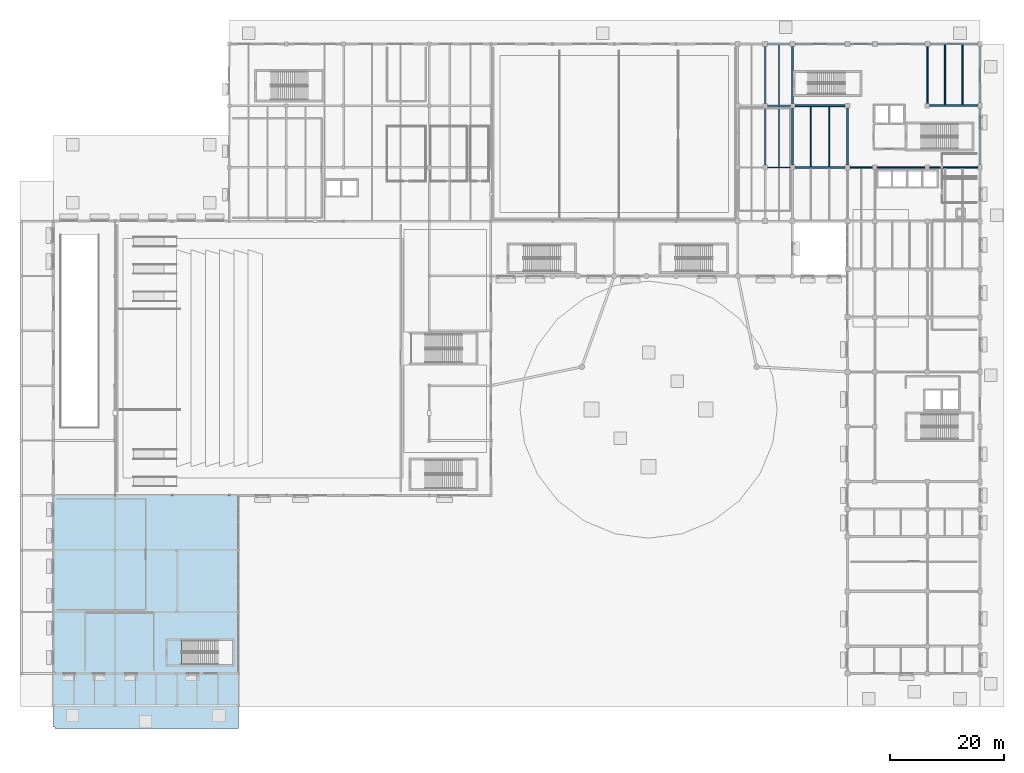
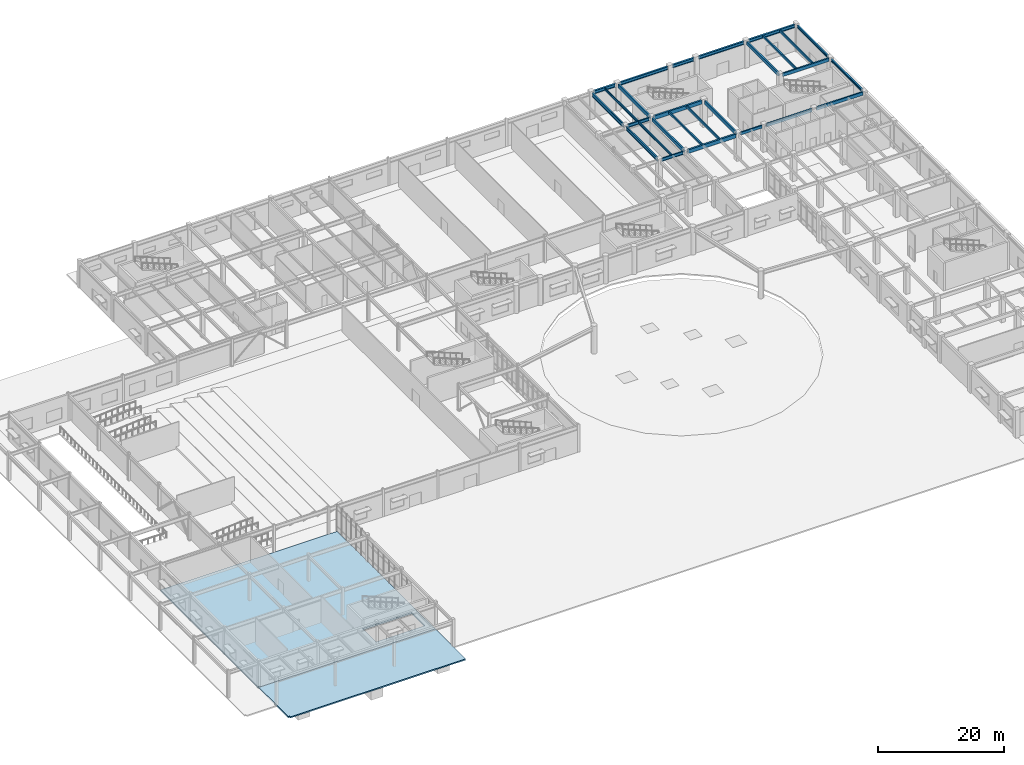
# One storey, part 21 of 54: 27 beams, 2 slabs.
"""IFC4 building model written with IfcOpenShell, lengths in metres."""

from ifc_helpers import new_model, si_unit, direction, frame, origin, origin_2d, place, context, subcontext, project, spatial, polyline, rectangle, i_section, outline, extrude, material, layer, layer_set, material_profile, profile_set, type_object, element, save


model = new_model("IFC4")

# Units and contexts
model_context = context("Model", 3, precision=1e-05, world=origin(), true_north=direction((0.0, 1.0)))
body_context = subcontext(model_context, "Body", "Model", "MODEL_VIEW")
ifc_project = project(units=[si_unit("LENGTHUNIT", "METRE"), si_unit("AREAUNIT", "SQUARE_METRE"), si_unit("VOLUMEUNIT", "CUBIC_METRE"), si_unit("PLANEANGLEUNIT", "RADIAN"), si_unit("MASSUNIT", "GRAM", prefix="KILO")], contexts=[model_context])

# Site, building, storey
site_placement = place(None, origin())
site = spatial("IfcSite", under=ifc_project, at=site_placement, CompositionType="ELEMENT")
building_placement = place(site_placement, origin())
building = spatial("IfcBuilding", under=site, at=building_placement, Name="Veldera Park Congress Hotel", CompositionType="ELEMENT")
storey_placement = place(building_placement, origin())
storey = spatial("IfcBuildingStorey", under=building, at=storey_placement, Name="L00", CompositionType="ELEMENT", Elevation=0.0)

# Beams
ifc_material_1 = material(Name="Glulam GL28h (NDS 24F-V4)", Category="wood")
ifc_material_profile_1 = material_profile(ifc_material_1, rectangle(XDim=0.239990234375, YDim=0.5400390625, at=origin_2d()), Name="GL28h 240x540")
ifc_profile_set_1 = profile_set([ifc_material_profile_1], Name="Glulam GL28h (NDS 24F-V4)")
beam_type_1 = type_object("IfcBeamType", Name="BM-GL540", PredefinedType="BEAM", material=ifc_profile_set_1)
beam_1_placement = place(storey_placement, frame((61.22509765625, 36.39990234375, 4.85009765625), z_axis=(1.0, 0.0, 0.0), x_axis=(0.0, 1.0, 0.0)))
element("IfcBeam", 1, at=beam_1_placement, inside=storey, type_object=beam_type_1, Name="L00 Girder BM-GL540 360", PredefinedType="BEAM", context=body_context, shape_type="SweptSolid", body=[
    extrude(rectangle(XDim=0.239990234375, YDim=0.5400390625, at=origin_2d()), origin(), (0.0, 0.0, 1.0), 3.974853515625),
])
ifc_material_profile_2 = material_profile(ifc_material_1, rectangle(XDim=0.264892578125, YDim=0.6201171875, at=origin_2d()), Name="GL28h 265x620")
ifc_profile_set_2 = profile_set([ifc_material_profile_2], Name="Glulam GL28h (NDS 24F-V4)")
beam_type_2 = type_object("IfcBeamType", Name="BM-GL620", PredefinedType="BEAM", material=ifc_profile_set_2)
beam_2_placement = place(storey_placement, frame((66.0, 36.39990234375, 4.81005859375), z_axis=(1.0, 0.0, 0.0), x_axis=(0.0, 1.0, 0.0)))
element("IfcBeam", 2, at=beam_2_placement, inside=storey, type_object=beam_type_2, Name="L00 Girder BM-GL620 361", PredefinedType="BEAM", context=body_context, shape_type="SweptSolid", body=[
    extrude(rectangle(XDim=0.264892578125, YDim=0.6201171875, at=origin_2d()), origin(), (0.0, 0.0, 1.0), 8.39990234375),
])
for number, where, z_axis, x_axis, name in (
    (3, (75.199951171875, 36.39990234375, 4.81005859375), (1.0, 0.0, 0.0), (0.0, 1.0, 0.0), "L00 Girder BM-GL620 362"),
    (4, (75.199951171875, 47.199951171875, 4.81005859375), (1.0, 0.0, 0.0), (0.0, 1.0, 0.0), "L00 Girder BM-GL620 370"),
):
    element("IfcBeam", number, at=place(storey_placement, frame(where, z_axis=z_axis, x_axis=x_axis)), inside=storey, type_object=beam_type_2, Name=name, PredefinedType="BEAM", context=body_context, shape_type="SweptSolid", body=[
        extrude(rectangle(XDim=0.264892578125, YDim=0.6201171875, at=origin_2d()), origin(), (0.0, 0.0, 1.0), 8.47509765625),
    ])
ifc_material_profile_3 = material_profile(ifc_material_1, rectangle(XDim=0.280029296875, YDim=0.639892578125, at=origin_2d()), Name="GL28h 280x640")
ifc_profile_set_3 = profile_set([ifc_material_profile_3], Name="Glulam GL28h (NDS 24F-V4)")
beam_type_3 = type_object("IfcBeamType", Name="BM-GL640", PredefinedType="BEAM", material=ifc_profile_set_3)
beam_3_placement = place(storey_placement, frame((51.199951171875, 36.800048828125, 4.800048828125), z_axis=(0.0, 1.0, 0.0), x_axis=(-1.0, 0.0, 0.0)))
element("IfcBeam", 5, at=beam_3_placement, inside=storey, type_object=beam_type_3, Name="L00 Girder BM-GL640 449", PredefinedType="BEAM", context=body_context, shape_type="SweptSolid", body=[
    extrude(rectangle(XDim=0.280029296875, YDim=0.639892578125, at=origin_2d()), origin(), (0.0, 0.0, 1.0), 10.0),
])
beam_4_placement = place(storey_placement, frame((51.199951171875, 47.60009765625, 4.800048828125), z_axis=(0.0, 1.0, 0.0), x_axis=(-1.0, 0.0, 0.0)))
element("IfcBeam", 6, at=beam_4_placement, inside=storey, type_object=beam_type_3, Name="L00 Girder BM-GL640 450", PredefinedType="BEAM", context=body_context, shape_type="SweptSolid", body=[
    extrude(rectangle(XDim=0.280029296875, YDim=0.639892578125, at=origin_2d()), origin(), (0.0, 0.0, 1.0), 9.974853515625),
])
beam_5_placement = place(storey_placement, frame((60.800048828125, 36.824951171875, 4.800048828125), z_axis=(0.0, 1.0, 0.0), x_axis=(-1.0, 0.0, 0.0)))
element("IfcBeam", 7, at=beam_5_placement, inside=storey, type_object=beam_type_3, Name="L00 Girder BM-GL640 462", PredefinedType="BEAM", context=body_context, shape_type="SweptSolid", body=[
    extrude(rectangle(XDim=0.280029296875, YDim=0.639892578125, at=origin_2d()), origin(), (0.0, 0.0, 1.0), 9.949951171875),
])
beam_6_placement = place(storey_placement, frame((74.800048828125, 47.60009765625, 4.800048828125), z_axis=(0.0, 1.0, 0.0), x_axis=(-1.0, 0.0, 0.0)))
element("IfcBeam", 8, at=beam_6_placement, inside=storey, type_object=beam_type_3, Name="L00 Girder BM-GL640 477", PredefinedType="BEAM", context=body_context, shape_type="SweptSolid", body=[
    extrude(rectangle(XDim=0.280029296875, YDim=0.639892578125, at=origin_2d()), origin(), (0.0, 0.0, 1.0), 9.974853515625),
])
ifc_material_profile_4 = material_profile(ifc_material_1, rectangle(XDim=0.31494140625, YDim=0.719970703125, at=origin_2d()), Name="GL28h 315x720")
ifc_profile_set_4 = profile_set([ifc_material_profile_4], Name="Glulam GL28h (NDS 24F-V4)")
beam_type_4 = type_object("IfcBeamType", Name="BM-GL720", PredefinedType="BEAM", material=ifc_profile_set_4)
for number, where, z_axis, x_axis, name in (
    (9, (51.60009765625, 36.39990234375, 4.760009765625), (1.0, 0.0, 0.0), (0.0, 1.0, 0.0), "L00 Girder BM-GL720 359"),
    (10, (51.60009765625, 47.199951171875, 4.760009765625), (1.0, 0.0, 0.0), (0.0, 1.0, 0.0), "L00 Girder BM-GL720 369"),
):
    element("IfcBeam", number, at=place(storey_placement, frame(where, z_axis=z_axis, x_axis=x_axis)), inside=storey, type_object=beam_type_4, Name=name, PredefinedType="BEAM", context=body_context, shape_type="SweptSolid", body=[
        extrude(rectangle(XDim=0.31494140625, YDim=0.719970703125, at=origin_2d()), origin(), (0.0, 0.0, 1.0), 8.77490234375),
    ])
ifc_material_2 = material(Name="Steel ASTM A992 Gr.50", Category="steel")
ifc_material_profile_5 = material_profile(ifc_material_2, i_section(OverallWidth=0.22900390625, OverallDepth=0.612060546875, WebThickness=0.011962890625, FlangeThickness=0.01953125, at=origin_2d()), Name="W24X84")
ifc_profile_set_5 = profile_set([ifc_material_profile_5], Name="Steel ASTM A992 Gr.50")
beam_type_5 = type_object("IfcBeamType", Name="BM-W24", PredefinedType="BEAM", material=ifc_profile_set_5)
for number, where, z_axis, x_axis, name in (
    (11, (46.800048828125, 36.39990234375, 4.81396484375), (1.0, 0.0, 0.0), (0.0, 1.0, 0.0), "L00 Girder BM-W24 358"),
    (12, (46.800048828125, 47.199951171875, 4.81396484375), (1.0, 0.0, 0.0), (0.0, 1.0, 0.0), "L00 Girder BM-W24 368"),
):
    element("IfcBeam", number, at=place(storey_placement, frame(where, z_axis=z_axis, x_axis=x_axis)), inside=storey, type_object=beam_type_5, Name=name, PredefinedType="BEAM", context=body_context, shape_type="SweptSolid", body=[
        extrude(i_section(OverallWidth=0.22900390625, OverallDepth=0.612060546875, WebThickness=0.011962890625, FlangeThickness=0.01953125, at=origin_2d()), origin(), (0.0, 0.0, 1.0), 4.0),
    ])
ifc_material_profile_6 = material_profile(ifc_material_2, i_section(OverallWidth=0.323974609375, OverallDepth=0.612060546875, WebThickness=0.0126953125, FlangeThickness=0.01904296875, at=origin_2d()), Name="W24X104")
ifc_profile_set_6 = profile_set([ifc_material_profile_6], Name="Steel ASTM A992 Gr.50")
beam_type_6 = type_object("IfcBeamType", Name="BM-W24E", PredefinedType="BEAM", material=ifc_profile_set_6)
beam_7_placement = place(storey_placement, frame((46.824951171875, 58.0, 4.81396484375), z_axis=(1.0, 0.0, 0.0), x_axis=(0.0, 1.0, 0.0)))
element("IfcBeam", 13, at=beam_7_placement, inside=storey, type_object=beam_type_6, Name="L00 Girder BM-W24E 380", PredefinedType="BEAM", context=body_context, shape_type="SweptSolid", body=[
    extrude(i_section(OverallWidth=0.323974609375, OverallDepth=0.612060546875, WebThickness=0.0126953125, FlangeThickness=0.01904296875, at=origin_2d()), origin(), (0.0, 0.0, 1.0), 3.949951171875),
])
ifc_material_profile_7 = material_profile(ifc_material_2, i_section(OverallWidth=0.256103515625, OverallDepth=0.693115234375, WebThickness=0.014404296875, FlangeThickness=0.023681640625, at=origin_2d()), Name="W27X114")
ifc_profile_set_7 = profile_set([ifc_material_profile_7], Name="Steel ASTM A992 Gr.50")
beam_type_7 = type_object("IfcBeamType", Name="BM-W27", PredefinedType="BEAM", material=ifc_profile_set_7)
beam_8_placement = place(storey_placement, frame((46.39990234375, 36.800048828125, 4.7734375), z_axis=(0.0, 1.0, 0.0), x_axis=(-1.0, 0.0, 0.0)))
element("IfcBeam", 14, at=beam_8_placement, inside=storey, type_object=beam_type_7, Name="L00 Girder BM-W27 445", PredefinedType="BEAM", context=body_context, shape_type="SweptSolid", body=[
    extrude(i_section(OverallWidth=0.256103515625, OverallDepth=0.693115234375, WebThickness=0.014404296875, FlangeThickness=0.023681640625, at=origin_2d()), origin(), (0.0, 0.0, 1.0), 10.0),
])
beam_9_placement = place(storey_placement, frame((46.39990234375, 47.60009765625, 4.7734375), z_axis=(0.0, 1.0, 0.0), x_axis=(-1.0, 0.0, 0.0)))
element("IfcBeam", 15, at=beam_9_placement, inside=storey, type_object=beam_type_7, Name="L00 Girder BM-W27 446", PredefinedType="BEAM", context=body_context, shape_type="SweptSolid", body=[
    extrude(i_section(OverallWidth=0.256103515625, OverallDepth=0.693115234375, WebThickness=0.014404296875, FlangeThickness=0.023681640625, at=origin_2d()), origin(), (0.0, 0.0, 1.0), 9.974853515625),
])
ifc_material_profile_8 = material_profile(ifc_material_1, rectangle(XDim=0.215087890625, YDim=0.449951171875, at=origin_2d()), Name="GL28h 215x450")
ifc_profile_set_8 = profile_set([ifc_material_profile_8], Name="Glulam GL28h (NDS 24F-V4)")
beam_type_8 = type_object("IfcBeamType", Name="JST-GL450", PredefinedType="JOIST", material=ifc_profile_set_8)
for number, where, z_axis, x_axis, name in (
    (16, (54.39990234375, 36.5576171875, 4.89501953125), (0.0, 1.0, 0.0), (-1.0, 0.0, 0.0), "L00 Floor Joist JST-GL450 535"),
    (17, (57.60009765625, 36.5576171875, 4.89501953125), (0.0, 1.0, 0.0), (-1.0, 0.0, 0.0), "L00 Floor Joist JST-GL450 536"),
):
    element("IfcBeam", number, at=place(storey_placement, frame(where, z_axis=z_axis, x_axis=x_axis)), inside=storey, type_object=beam_type_8, Name=name, PredefinedType="JOIST", context=body_context, shape_type="SweptSolid", body=[
        extrude(rectangle(XDim=0.215087890625, YDim=0.449951171875, at=origin_2d()), origin(), (0.0, 0.0, 1.0), 10.48486328125),
    ])
for number, where, z_axis, x_axis, name in (
    (18, (77.86669921875, 47.33251953125, 4.89501953125), (0.0, 1.0, 0.0), (-1.0, 0.0, 0.0), "L00 Floor Joist JST-GL450 545"),
    (19, (80.933349609375, 47.33251953125, 4.89501953125), (0.0, 1.0, 0.0), (-1.0, 0.0, 0.0), "L00 Floor Joist JST-GL450 546"),
):
    element("IfcBeam", number, at=place(storey_placement, frame(where, z_axis=z_axis, x_axis=x_axis)), inside=storey, type_object=beam_type_8, Name=name, PredefinedType="JOIST", context=body_context, shape_type="SweptSolid", body=[
        extrude(rectangle(XDim=0.215087890625, YDim=0.449951171875, at=origin_2d()), origin(), (0.0, 0.0, 1.0), 10.50537109375),
    ])
ifc_material_profile_9 = material_profile(ifc_material_2, i_section(OverallWidth=0.19091796875, OverallDepth=0.45703125, WebThickness=0.009033203125, FlangeThickness=0.014404296875, at=origin_2d()), Name="W18X50")
ifc_profile_set_9 = profile_set([ifc_material_profile_9], Name="Steel ASTM A992 Gr.50")
beam_type_9 = type_object("IfcBeamType", Name="JST-W18", PredefinedType="JOIST", material=ifc_profile_set_9)
beam_10_placement = place(storey_placement, frame((48.800048828125, 36.514404296875, 4.8916015625), z_axis=(0.0, 1.0, 0.0), x_axis=(-1.0, 0.0, 0.0)))
element("IfcBeam", 20, at=beam_10_placement, inside=storey, type_object=beam_type_9, Name="L00 Floor Joist JST-W18 534", PredefinedType="JOIST", context=body_context, shape_type="SweptSolid", body=[
    extrude(i_section(OverallWidth=0.19091796875, OverallDepth=0.45703125, WebThickness=0.009033203125, FlangeThickness=0.014404296875, at=origin_2d()), origin(), (0.0, 0.0, 1.0), 10.571044921875),
])
beam_11_placement = place(storey_placement, frame((48.800048828125, 47.314453125, 4.8916015625), z_axis=(0.0, 1.0, 0.0), x_axis=(-1.0, 0.0, 0.0)))
element("IfcBeam", 21, at=beam_11_placement, inside=storey, type_object=beam_type_9, Name="L00 Floor Joist JST-W18 544", PredefinedType="JOIST", context=body_context, shape_type="SweptSolid", body=[
    extrude(i_section(OverallWidth=0.19091796875, OverallDepth=0.45703125, WebThickness=0.009033203125, FlangeThickness=0.014404296875, at=origin_2d()), origin(), (0.0, 0.0, 1.0), 10.5234375),
])
ifc_material_profile_10 = material_profile(ifc_material_2, i_section(OverallWidth=0.280029296875, OverallDepth=0.462890625, WebThickness=0.0107421875, FlangeThickness=0.017333984375, at=origin_2d()), Name="W18X76")
ifc_profile_set_10 = profile_set([ifc_material_profile_10], Name="Steel ASTM A992 Gr.50")
beam_type_10 = type_object("IfcBeamType", Name="SPN-W18E", PredefinedType="SPANDREL", material=ifc_profile_set_10)
beam_12_placement = place(storey_placement, frame((84.0, 36.875, 4.888427734375), z_axis=(0.0, 1.0, 0.0), x_axis=(-1.0, 0.0, 0.0)))
element("IfcBeam", 22, at=beam_12_placement, inside=storey, type_object=beam_type_10, Name="L00 Girder SPN-W18E 489", PredefinedType="SPANDREL", context=body_context, shape_type="SweptSolid", body=[
    extrude(i_section(OverallWidth=0.280029296875, OverallDepth=0.462890625, WebThickness=0.0107421875, FlangeThickness=0.017333984375, at=origin_2d()), origin(), (0.0, 0.0, 1.0), 9.85009765625),
])
beam_13_placement = place(storey_placement, frame((84.0, 47.675048828125, 4.888427734375), z_axis=(0.0, 1.0, 0.0), x_axis=(-1.0, 0.0, 0.0)))
element("IfcBeam", 23, at=beam_13_placement, inside=storey, type_object=beam_type_10, Name="L00 Girder SPN-W18E 490", PredefinedType="SPANDREL", context=body_context, shape_type="SweptSolid", body=[
    extrude(i_section(OverallWidth=0.280029296875, OverallDepth=0.462890625, WebThickness=0.0107421875, FlangeThickness=0.017333984375, at=origin_2d()), origin(), (0.0, 0.0, 1.0), 9.849853515625),
])
ifc_material_profile_11 = material_profile(ifc_material_2, i_section(OverallWidth=0.323974609375, OverallDepth=0.612060546875, WebThickness=0.0126953125, FlangeThickness=0.01904296875, at=origin_2d()), Name="W24X104")
ifc_profile_set_11 = profile_set([ifc_material_profile_11], Name="Steel ASTM A992 Gr.50")
beam_type_11 = type_object("IfcBeamType", Name="SPN-W24E", PredefinedType="SPANDREL", material=ifc_profile_set_11)
beam_14_placement = place(storey_placement, frame((51.625, 58.0, 4.81396484375), z_axis=(1.0, 0.0, 0.0), x_axis=(0.0, 1.0, 0.0)))
element("IfcBeam", 24, at=beam_14_placement, inside=storey, type_object=beam_type_11, Name="L00 Girder SPN-W24E 381", PredefinedType="SPANDREL", context=body_context, shape_type="SweptSolid", body=[
    extrude(i_section(OverallWidth=0.323974609375, OverallDepth=0.612060546875, WebThickness=0.0126953125, FlangeThickness=0.01904296875, at=origin_2d()), origin(), (0.0, 0.0, 1.0), 8.75),
])
beam_15_placement = place(storey_placement, frame((61.22509765625, 58.0, 4.81396484375), z_axis=(1.0, 0.0, 0.0), x_axis=(0.0, 1.0, 0.0)))
element("IfcBeam", 25, at=beam_15_placement, inside=storey, type_object=beam_type_11, Name="L00 Girder SPN-W24E 382", PredefinedType="SPANDREL", context=body_context, shape_type="SweptSolid", body=[
    extrude(i_section(OverallWidth=0.323974609375, OverallDepth=0.612060546875, WebThickness=0.0126953125, FlangeThickness=0.01904296875, at=origin_2d()), origin(), (0.0, 0.0, 1.0), 3.949951171875),
])
beam_16_placement = place(storey_placement, frame((66.02490234375, 58.0, 4.81396484375), z_axis=(1.0, 0.0, 0.0), x_axis=(0.0, 1.0, 0.0)))
element("IfcBeam", 26, at=beam_16_placement, inside=storey, type_object=beam_type_11, Name="L00 Girder SPN-W24E 383", PredefinedType="SPANDREL", context=body_context, shape_type="SweptSolid", body=[
    extrude(i_section(OverallWidth=0.323974609375, OverallDepth=0.612060546875, WebThickness=0.0126953125, FlangeThickness=0.01904296875, at=origin_2d()), origin(), (0.0, 0.0, 1.0), 8.35009765625),
])
beam_17_placement = place(storey_placement, frame((75.22509765625, 58.0, 4.81396484375), z_axis=(1.0, 0.0, 0.0), x_axis=(0.0, 1.0, 0.0)))
element("IfcBeam", 27, at=beam_17_placement, inside=storey, type_object=beam_type_11, Name="L00 Girder SPN-W24E 384", PredefinedType="SPANDREL", context=body_context, shape_type="SweptSolid", body=[
    extrude(i_section(OverallWidth=0.323974609375, OverallDepth=0.612060546875, WebThickness=0.0126953125, FlangeThickness=0.01904296875, at=origin_2d()), origin(), (0.0, 0.0, 1.0), 8.449951171875),
])

# Slabs
ifc_material_3 = material(Name="Concrete f'c 35 MPa (5,000 psi)", Category="concrete")
ifc_layer_1 = layer(ifc_material_3, 0.25)
ifc_layer_set_1 = layer_set([ifc_layer_1], Name="Concrete f'c 35 MPa (5,000 psi)")
slab_type_1 = type_object("IfcSlabType", Name="SLB-APR250", PredefinedType="BASESLAB", material=ifc_layer_set_1)
slab_1_placement = place(storey_placement, frame((0.0, 0.0, -0.25)))
element("IfcSlab", 28, at=slab_1_placement, inside=storey, type_object=slab_type_1, Name="L00 Exterior Arrival Terrace Apron SLB-APR-SOUTH-W", PredefinedType="BASESLAB", context=body_context, shape_type="SweptSolid", body=[
    extrude(outline(polyline([(-78.199951171875, -61.5400390625), (-77.93994140625, -61.5400390625), (-77.93994140625, -61.800048828125), (-45.800048828125, -61.800048828125), (-45.800048828125, -52.199951171875), (-78.199951171875, -52.199951171875), (-78.199951171875, -61.5400390625)])), origin(), (0.0, 0.0, 1.0), 0.25),
])
ifc_material_4 = material(Name="Concrete f'c 40 MPa (5,800 psi)", Category="concrete")
ifc_layer_2 = layer(ifc_material_4, 0.300048828125)
ifc_layer_set_2 = layer_set([ifc_layer_2], Name="Concrete f'c 40 MPa (5,800 psi)")
slab_type_2 = type_object("IfcSlabType", Name="SLB-RC300", PredefinedType="FLOOR", material=ifc_layer_set_2)
slab_2_placement = place(storey_placement, frame((0.0, 0.0, -0.300048828125)))
element("IfcSlab", 29, at=slab_2_placement, inside=storey, type_object=slab_type_2, Name="L00 Ground Floor Slab SLB-L00-V3", PredefinedType="FLOOR", context=body_context, shape_type="SweptSolid", body=[
    extrude(outline(polyline([(-78.199951171875, -51.93994140625), (-77.93994140625, -51.93994140625), (-77.93994140625, -52.199951171875), (-45.800048828125, -52.199951171875), (-45.800048828125, -21.0), (-78.199951171875, -21.0), (-78.199951171875, -51.93994140625)]), holes=[polyline([(-55.784912109375, -50.60009765625), (-46.800048828125, -50.60009765625), (-46.800048828125, -46.39990234375), (-55.784912109375, -46.39990234375), (-55.784912109375, -50.60009765625)])]), origin(), (0.0, 0.0, 1.0), 0.300048828125),
])

save(model, "model.ifc")
